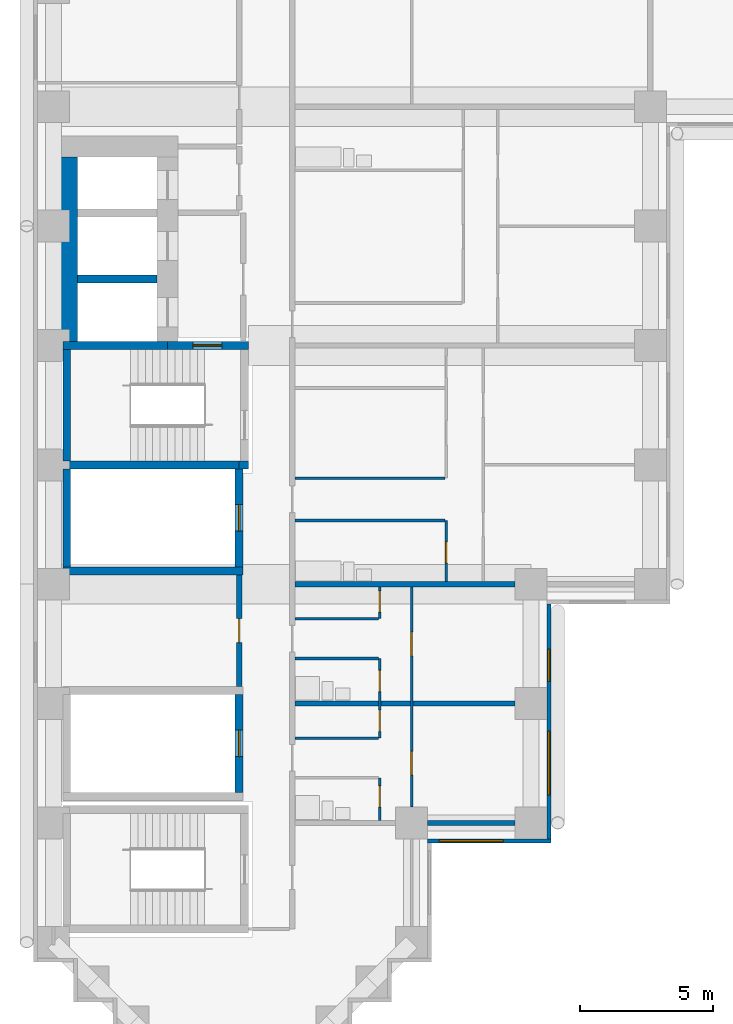
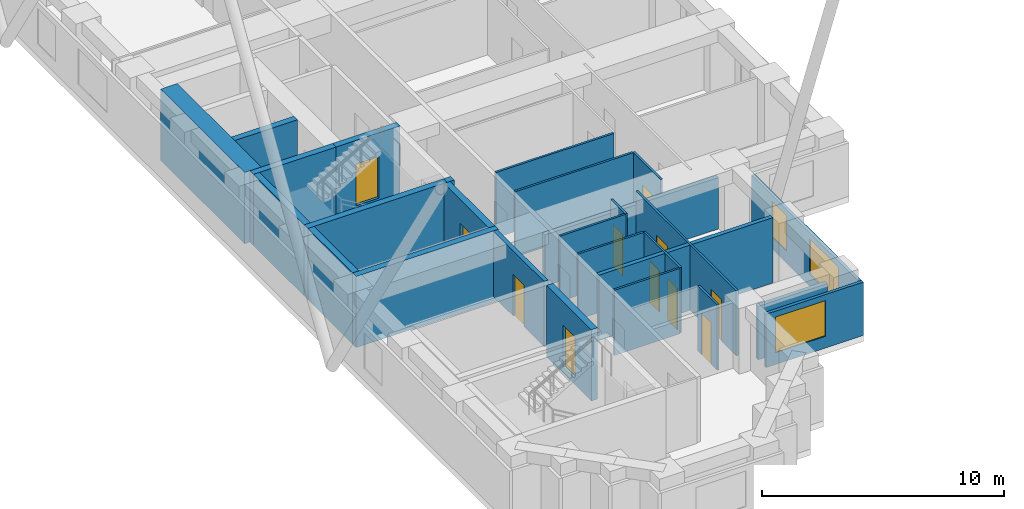
# One storey, part 3 of 13: 27 walls, 11 doors, 3 windows, 14 openings.
"""IFC4 building model written with IfcOpenShell, lengths in metres."""

from ifc_helpers import new_model, si_unit, direction, frame, frame_2d, origin, place, context, subcontext, project, spatial, rectangle, extrude, material, layer, layer_set, type_object, element, fill, save


model = new_model("IFC4")

# Units and contexts
model_context = context("Model", 3, precision=1e-05, world=origin(), true_north=direction((0.0, 1.0)))
body_context = subcontext(model_context, "Body", "Model", "MODEL_VIEW")
ifc_project = project(units=[si_unit("LENGTHUNIT", "METRE"), si_unit("AREAUNIT", "SQUARE_METRE"), si_unit("VOLUMEUNIT", "CUBIC_METRE"), si_unit("PLANEANGLEUNIT", "RADIAN"), si_unit("MASSUNIT", "GRAM", prefix="KILO")], contexts=[model_context])

# Site, building, storey
site_placement = place(None, origin())
site = spatial("IfcSite", under=ifc_project, at=site_placement, CompositionType="ELEMENT")
building_placement = place(site_placement, origin())
building = spatial("IfcBuilding", under=site, at=building_placement, Name="Firuza Court", CompositionType="ELEMENT")
storey_placement = place(building_placement, frame((0.0, 0.0, 72.199951171875)))
storey = spatial("IfcBuildingStorey", under=building, at=storey_placement, Name="L17", CompositionType="ELEMENT", Elevation=72.199951171875)

# Walls
ifc_material_1 = material(Name="Moisture-resistant gypsum board partition")
ifc_layer_1 = layer(ifc_material_1, 0.10009765625)
ifc_layer_set_1 = layer_set([ifc_layer_1], Name="Moisture-resistant gypsum board partition")
wall_type_1 = type_object("IfcWallType", Name="Bathroom partition 100", PredefinedType="PLUMBINGWALL", material=ifc_layer_set_1)
wall_1_placement = place(storey_placement, frame((9.10009765625, 15.199951171875, 0.0), z_axis=(0.0, 0.0, 1.0), x_axis=(1.0, 0.0, 0.0)))
element("IfcWall", 1, at=wall_1_placement, inside=storey, type_object=wall_type_1, Name="Bathroom partition 100 L17", PredefinedType="PLUMBINGWALL", context=body_context, shape_type="SweptSolid", body=[
    extrude(rectangle(XDim=3.14990234375, YDim=0.10009765625, at=frame_2d((1.574951171875, 0.0))), origin(), (0.0, 0.0, 1.0), 3.300048828125),
])
wall_2_placement = place(storey_placement, frame((9.10009765625, 20.39990234375, 0.0), z_axis=(0.0, 0.0, 1.0), x_axis=(1.0, 0.0, 0.0)))
element("IfcWall", 2, at=wall_2_placement, inside=storey, type_object=wall_type_1, Name="Bathroom partition 100 L17", PredefinedType="PLUMBINGWALL", context=body_context, shape_type="SweptSolid", body=[
    extrude(rectangle(XDim=5.64990234375, YDim=0.10009765625, at=frame_2d((2.824951171875, 0.0))), origin(), (0.0, 0.0, 1.0), 3.300048828125),
])
ifc_material_2 = material(Name="Concrete C60/75", Category="concrete")
ifc_layer_2 = layer(ifc_material_2, 0.300048828125)
ifc_layer_set_2 = layer_set([ifc_layer_2], Name="Concrete C60/75")
wall_type_2 = type_object("IfcWallType", Name="Core wall 300 C60/75", PredefinedType="SHEAR", material=ifc_layer_set_2)
wall_3_placement = place(storey_placement, frame((0.35009765625, 18.5, -0.300048828125), z_axis=(0.0, 0.0, 1.0), x_axis=(1.0, 0.0, 0.0)))
element("IfcWall", 3, at=wall_3_placement, inside=storey, type_object=wall_type_2, Name="Core wall riser L17", PredefinedType="SHEAR", context=body_context, shape_type="SweptSolid", body=[
    extrude(rectangle(XDim=6.7998046875, YDim=0.300048828125, at=frame_2d((3.39990234375, 0.0))), origin(), (0.0, 0.0, 1.0), 3.60009765625),
])
wall_4_placement = place(storey_placement, frame((0.35009765625, 22.5, -0.300048828125), z_axis=(0.0, 0.0, 1.0), x_axis=(1.0, 0.0, 0.0)))
element("IfcWall", 4, at=wall_4_placement, inside=storey, type_object=wall_type_2, Name="Core wall riser L17", PredefinedType="SHEAR", context=body_context, shape_type="SweptSolid", body=[
    extrude(rectangle(XDim=6.64990234375, YDim=0.300048828125, at=frame_2d((3.324951171875, 0.0))), origin(), (0.0, 0.0, 1.0), 3.60009765625),
])
wall_5_placement = place(storey_placement, frame((0.35009765625, 27.0, -0.300048828125), z_axis=(0.0, 0.0, 1.0), x_axis=(1.0, 0.0, 0.0)))
element("IfcWall", 5, at=wall_5_placement, inside=storey, type_object=wall_type_2, Name="Core wall lift shaft L17", PredefinedType="SHEAR", context=body_context, shape_type="SweptSolid", body=[
    extrude(rectangle(XDim=3.949951171875, YDim=0.300048828125, at=frame_2d((1.97509765625, 0.0))), origin(), (0.0, 0.0, 1.0), 3.60009765625),
])
wall_6_placement = place(storey_placement, frame((0.5, 18.64990234375, -0.300048828125), z_axis=(0.0, 0.0, 1.0), x_axis=(0.0, 1.0, 0.0)))
element("IfcWall", 6, at=wall_6_placement, inside=storey, type_object=wall_type_2, Name="Core wall riser L17", PredefinedType="SHEAR", context=body_context, shape_type="SweptSolid", body=[
    extrude(rectangle(XDim=3.7001953125, YDim=0.300048828125, at=frame_2d((1.85009765625, 0.0))), origin(), (0.0, 0.0, 1.0), 3.60009765625),
])
wall_7_placement = place(storey_placement, frame((0.5, 22.64990234375, -0.300048828125), z_axis=(0.0, 0.0, 1.0), x_axis=(0.0, 1.0, 0.0)))
element("IfcWall", 7, at=wall_7_placement, inside=storey, type_object=wall_type_2, Name="Core wall stair L17", PredefinedType="SHEAR", context=body_context, shape_type="SweptSolid", body=[
    extrude(rectangle(XDim=4.2001953125, YDim=0.300048828125, at=frame_2d((2.10009765625, 0.0))), origin(), (0.0, 0.0, 1.0), 3.60009765625),
])
wall_8_placement = place(storey_placement, frame((0.89990234375, 29.5, -0.300048828125), z_axis=(0.0, 0.0, 1.0), x_axis=(1.0, 0.0, 0.0)))
element("IfcWall", 8, at=wall_8_placement, inside=storey, type_object=wall_type_2, Name="Core wall lift shaft L17", PredefinedType="SHEAR", context=body_context, shape_type="SweptSolid", body=[
    extrude(rectangle(XDim=3.0, YDim=0.300048828125, at=frame_2d((1.5, 0.0))), origin(), (0.0, 0.0, 1.0), 3.60009765625),
])

# Wall, opening, door
wall_9_placement = place(storey_placement, frame((4.300048828125, 27.0, -0.300048828125), z_axis=(0.0, 0.0, 1.0), x_axis=(1.0, 0.0, 0.0)))
wall_9 = element("IfcWall", 9, at=wall_9_placement, inside=storey, type_object=wall_type_2, Name="Core wall stair L17", PredefinedType="SHEAR", context=body_context, shape_type="SweptSolid", body=[
    extrude(rectangle(XDim=3.050048828125, YDim=0.300048828125, at=frame_2d((1.52490234375, 0.0))), origin(), (0.0, 0.0, 1.0), 3.60009765625),
])
opening_1_placement = place(wall_9_placement, frame((0.949951171875, 0.0, 0.300048828125)))
opening_1 = element("IfcOpeningElement", 10, at=opening_1_placement, cuts=wall_9, Name="Opening D17014", PredefinedType="OPENING", context=body_context, shape_type="SweptSolid", body=[
    extrude(rectangle(XDim=1.10009765625, YDim=2.10009765625, at=frame_2d((0.550048828125, 1.050048828125))), frame((0.0, 0.162109375, 0.0), z_axis=(0.0, -1.0, 0.0), x_axis=(1.0, 0.0, 0.0)), (0.0, 0.0, 1.0), 0.323974609375),
])
ifc_material_3 = material(Name="Timber door leaf in hardwood frame", Category="wood")
door_type_1 = type_object("IfcDoorType", Name="Stair door 1100", OperationType="SINGLE_SWING_LEFT", PredefinedType="DOOR", material=ifc_material_3)
door_1_placement = place(opening_1_placement, frame((1.10009765625, 0.0, 0.0), z_axis=(0.0, 0.0, 1.0), x_axis=(-1.0, 0.0, 0.0)))
door_1 = element("IfcDoor", 11, at=door_1_placement, inside=storey, type_object=door_type_1, Name="Fire-fighting lobby door", OperationType="SINGLE_SWING_LEFT", OverallHeight=2.10009765625, OverallWidth=1.10009765625, PredefinedType="DOOR", context=body_context, shape_type="SweptSolid", body=[
    extrude(rectangle(XDim=1.10009765625, YDim=2.10009765625, at=frame_2d((0.550048828125, 1.050048828125))), frame((0.0, 0.02490234375, 0.0), z_axis=(0.0, -1.0, 0.0), x_axis=(1.0, 0.0, 0.0)), (0.0, 0.0, 1.0), 0.050048828125),
])
fill(opening_1, door_1)

wall_10_placement = place(storey_placement, frame((7.0, 10.14990234375, -0.300048828125), z_axis=(0.0, 0.0, 1.0), x_axis=(0.0, 1.0, 0.0)))
wall_10 = element("IfcWall", 12, at=wall_10_placement, inside=storey, type_object=wall_type_2, Name="Core wall riser L17", PredefinedType="SHEAR", context=body_context, shape_type="SweptSolid", body=[
    extrude(rectangle(XDim=3.7001953125, YDim=0.300048828125, at=frame_2d((1.85009765625, 0.0))), origin(), (0.0, 0.0, 1.0), 3.60009765625),
])
opening_2_placement = place(wall_10_placement, frame((1.35009765625, 0.0, 0.300048828125)))
opening_2 = element("IfcOpeningElement", 13, at=opening_2_placement, cuts=wall_10, Name="Opening D17012", PredefinedType="OPENING", context=body_context, shape_type="SweptSolid", body=[
    extrude(rectangle(XDim=1.0, YDim=2.10009765625, at=frame_2d((0.5, 1.050048828125))), frame((0.0, 0.162109375, 0.0), z_axis=(0.0, -1.0, 0.0), x_axis=(1.0, 0.0, 0.0)), (0.0, 0.0, 1.0), 0.323974609375),
])
ifc_material_4 = material(Name="Timber door leaf in hardwood frame", Category="wood")
door_type_2 = type_object("IfcDoorType", Name="Riser door 1000", OperationType="SINGLE_SWING_LEFT", PredefinedType="DOOR", material=ifc_material_4)
door_2_placement = place(opening_2_placement, origin())
door_2 = element("IfcDoor", 14, at=door_2_placement, inside=storey, type_object=door_type_2, Name="Riser door R4", OperationType="SINGLE_SWING_LEFT", OverallHeight=2.10009765625, OverallWidth=1.0, PredefinedType="DOOR", context=body_context, shape_type="SweptSolid", body=[
    extrude(rectangle(XDim=1.0, YDim=2.10009765625, at=frame_2d((0.5, 1.050048828125))), frame((0.0, 0.02490234375, 0.0), z_axis=(0.0, -1.0, 0.0), x_axis=(1.0, 0.0, 0.0)), (0.0, 0.0, 1.0), 0.050048828125),
])
fill(opening_2, door_2)

wall_11_placement = place(storey_placement, frame((7.0, 18.64990234375, -0.300048828125), z_axis=(0.0, 0.0, 1.0), x_axis=(0.0, 1.0, 0.0)))
wall_11 = element("IfcWall", 15, at=wall_11_placement, inside=storey, type_object=wall_type_2, Name="Core wall riser L17", PredefinedType="SHEAR", context=body_context, shape_type="SweptSolid", body=[
    extrude(rectangle(XDim=3.7001953125, YDim=0.300048828125, at=frame_2d((1.85009765625, 0.0))), origin(), (0.0, 0.0, 1.0), 3.60009765625),
])
opening_3_placement = place(wall_11_placement, frame((1.35009765625, 0.0, 0.300048828125)))
opening_3 = element("IfcOpeningElement", 16, at=opening_3_placement, cuts=wall_11, Name="Opening D17010", PredefinedType="OPENING", context=body_context, shape_type="SweptSolid", body=[
    extrude(rectangle(XDim=1.0, YDim=2.10009765625, at=frame_2d((0.5, 1.050048828125))), frame((0.0, 0.162109375, 0.0), z_axis=(0.0, -1.0, 0.0), x_axis=(1.0, 0.0, 0.0)), (0.0, 0.0, 1.0), 0.323974609375),
])
door_3_placement = place(opening_3_placement, origin())
door_3 = element("IfcDoor", 17, at=door_3_placement, inside=storey, type_object=door_type_2, Name="Riser door R1", OperationType="SINGLE_SWING_LEFT", OverallHeight=2.10009765625, OverallWidth=1.0, PredefinedType="DOOR", context=body_context, shape_type="SweptSolid", body=[
    extrude(rectangle(XDim=1.0, YDim=2.10009765625, at=frame_2d((0.5, 1.050048828125))), frame((0.0, 0.02490234375, 0.0), z_axis=(0.0, -1.0, 0.0), x_axis=(1.0, 0.0, 0.0)), (0.0, 0.0, 1.0), 0.050048828125),
])
fill(opening_3, door_3)

# Walls
wall_12_placement = place(storey_placement, frame((7.0, 22.5, -0.300048828125), z_axis=(0.0, 0.0, 1.0), x_axis=(1.0, 0.0, 0.0)))
element("IfcWall", 18, at=wall_12_placement, inside=storey, type_object=wall_type_2, Name="Core wall stair L17", PredefinedType="SHEAR", context=body_context, shape_type="SweptSolid", body=[
    extrude(rectangle(XDim=0.35009765625, YDim=0.300048828125, at=frame_2d((0.175048828125, 0.0))), origin(), (0.0, 0.0, 1.0), 3.60009765625),
])
ifc_layer_3 = layer(ifc_material_2, 0.800048828125)
ifc_layer_set_3 = layer_set([ifc_layer_3], Name="Concrete C60/75")
wall_type_3 = type_object("IfcWallType", Name="Core wall 800 C60/75", PredefinedType="SHEAR", material=ifc_layer_set_3)
wall_13_placement = place(storey_placement, frame((0.5, 27.14990234375, -0.300048828125), z_axis=(0.0, 0.0, 1.0), x_axis=(0.0, 1.0, 0.0)))
element("IfcWall", 19, at=wall_13_placement, inside=storey, type_object=wall_type_3, Name="Core wall lift shaft L17", PredefinedType="SHEAR", context=body_context, shape_type="SweptSolid", body=[
    extrude(rectangle(XDim=6.9501953125, YDim=0.800048828125, at=frame_2d((3.47509765625, 0.0))), origin(), (0.0, 0.0, 1.0), 3.60009765625),
])

# Wall, opening, door
ifc_material_5 = material(Name="Blockwork, plastered both sides", Category="masonry")
ifc_layer_4 = layer(ifc_material_5, 0.199951171875)
ifc_layer_set_4 = layer_set([ifc_layer_4], Name="Blockwork, plastered both sides")
wall_type_4 = type_object("IfcWallType", Name="Corridor wall 200", PredefinedType="PARTITIONING", material=ifc_layer_set_4)
wall_14_placement = place(storey_placement, frame((7.0, 14.14990234375, 0.0), z_axis=(0.0, 0.0, 1.0), x_axis=(0.0, 1.0, 0.0)))
wall_14 = element("IfcWall", 20, at=wall_14_placement, inside=storey, type_object=wall_type_4, Name="Corridor wall 200 L17", PredefinedType="PARTITIONING", context=body_context, shape_type="SweptSolid", body=[
    extrude(rectangle(XDim=4.2001953125, YDim=0.199951171875, at=frame_2d((2.10009765625, 0.0))), origin(), (0.0, 0.0, 1.0), 3.300048828125),
])
opening_4_placement = place(wall_14_placement, frame((1.64990234375, 0.0, 0.0)))
opening_4 = element("IfcOpeningElement", 21, at=opening_4_placement, cuts=wall_14, Name="Opening D17030", PredefinedType="OPENING", context=body_context, shape_type="SweptSolid", body=[
    extrude(rectangle(XDim=0.89990234375, YDim=2.10009765625, at=frame_2d((0.449951171875, 1.050048828125))), frame((0.0, 0.11181640625, 0.0), z_axis=(0.0, -1.0, 0.0), x_axis=(1.0, 0.0, 0.0)), (0.0, 0.0, 1.0), 0.223876953125),
])
ifc_material_6 = material(Name="Timber door leaf in hardwood frame", Category="wood")
door_type_3 = type_object("IfcDoorType", Name="Room door 900 EI 30", OperationType="SINGLE_SWING_LEFT", PredefinedType="DOOR", material=ifc_material_6)
door_4_placement = place(opening_4_placement, origin())
door_4 = element("IfcDoor", 22, at=door_4_placement, inside=storey, type_object=door_type_3, Name="Concierge room door", OperationType="SINGLE_SWING_LEFT", OverallHeight=2.10009765625, OverallWidth=0.89990234375, PredefinedType="DOOR", context=body_context, shape_type="SweptSolid", body=[
    extrude(rectangle(XDim=0.89990234375, YDim=2.10009765625, at=frame_2d((0.449951171875, 1.050048828125))), frame((0.0, 0.02490234375, 0.0), z_axis=(0.0, -1.0, 0.0), x_axis=(1.0, 0.0, 0.0)), (0.0, 0.0, 1.0), 0.050048828125),
])
fill(opening_4, door_4)

ifc_material_7 = material(Name="Timber stud partition, plasterboard both sides", Category="wood")
ifc_layer_5 = layer(ifc_material_7, 0.10009765625)
ifc_layer_set_5 = layer_set([ifc_layer_5], Name="Timber stud partition, plasterboard both sides")
wall_type_5 = type_object("IfcWallType", Name="Partition wall 100", PredefinedType="PARTITIONING", material=ifc_layer_set_5)
wall_15_placement = place(storey_placement, frame((12.300048828125, 9.10009765625, 0.0), z_axis=(0.0, 0.0, 1.0), x_axis=(0.0, 1.0, 0.0)))
wall_15 = element("IfcWall", 23, at=wall_15_placement, inside=storey, type_object=wall_type_5, Name="Partition wall 100 L17", PredefinedType="PARTITIONING", context=body_context, shape_type="SweptSolid", body=[
    extrude(rectangle(XDim=1.599853515625, YDim=0.10009765625, at=frame_2d((0.7998046875, 0.0))), origin(), (0.0, 0.0, 1.0), 3.300048828125),
])
opening_5_placement = place(wall_15_placement, frame((0.5, 0.0, 0.0)))
opening_5 = element("IfcOpeningElement", 24, at=opening_5_placement, cuts=wall_15, Name="Opening D17025", PredefinedType="OPENING", context=body_context, shape_type="SweptSolid", body=[
    extrude(rectangle(XDim=0.800048828125, YDim=2.10009765625, at=frame_2d((0.39990234375, 1.050048828125))), frame((0.0, 0.06201171875, 0.0), z_axis=(0.0, -1.0, 0.0), x_axis=(1.0, 0.0, 0.0)), (0.0, 0.0, 1.0), 0.1240234375),
])
ifc_material_8 = material(Name="Timber door leaf in hardwood frame", Category="wood")
door_type_4 = type_object("IfcDoorType", Name="Bathroom door 800", OperationType="SINGLE_SWING_LEFT", PredefinedType="DOOR", material=ifc_material_8)
door_5_placement = place(opening_5_placement, origin())
door_5 = element("IfcDoor", 25, at=door_5_placement, inside=storey, type_object=door_type_4, Name="Bathroom door", OperationType="SINGLE_SWING_RIGHT", OverallHeight=2.10009765625, OverallWidth=0.800048828125, PredefinedType="DOOR", context=body_context, shape_type="SweptSolid", body=[
    extrude(rectangle(XDim=0.800048828125, YDim=2.10009765625, at=frame_2d((0.39990234375, 1.050048828125))), frame((0.0, 0.02490234375, 0.0), z_axis=(0.0, -1.0, 0.0), x_axis=(1.0, 0.0, 0.0)), (0.0, 0.0, 1.0), 0.050048828125),
])
fill(opening_5, door_5)

# Wall, openings, doors
wall_16_placement = place(storey_placement, frame((13.5, 9.60009765625, 0.0), z_axis=(0.0, 0.0, 1.0), x_axis=(0.0, 1.0, 0.0)))
wall_16 = element("IfcWall", 26, at=wall_16_placement, inside=storey, type_object=wall_type_5, Name="Partition wall 100 L17", PredefinedType="PARTITIONING", context=body_context, shape_type="SweptSolid", body=[
    extrude(rectangle(XDim=8.2998046875, YDim=0.10009765625, at=frame_2d((4.14990234375, 0.0))), origin(), (0.0, 0.0, 1.0), 3.300048828125),
])
opening_6_placement = place(wall_16_placement, frame((5.699951171875, 0.0, 0.0)))
opening_6 = element("IfcOpeningElement", 27, at=opening_6_placement, cuts=wall_16, Name="Opening D17026", PredefinedType="OPENING", context=body_context, shape_type="SweptSolid", body=[
    extrude(rectangle(XDim=0.89990234375, YDim=2.10009765625, at=frame_2d((0.449951171875, 1.050048828125))), frame((0.0, 0.06201171875, 0.0), z_axis=(0.0, -1.0, 0.0), x_axis=(1.0, 0.0, 0.0)), (0.0, 0.0, 1.0), 0.1240234375),
])
opening_7_placement = place(wall_16_placement, frame((1.199951171875, 0.0, 0.0)))
opening_7 = element("IfcOpeningElement", 28, at=opening_7_placement, cuts=wall_16, Name="Opening D17027", PredefinedType="OPENING", context=body_context, shape_type="SweptSolid", body=[
    extrude(rectangle(XDim=0.89990234375, YDim=2.10009765625, at=frame_2d((0.449951171875, 1.050048828125))), frame((0.0, 0.06201171875, 0.0), z_axis=(0.0, -1.0, 0.0), x_axis=(1.0, 0.0, 0.0)), (0.0, 0.0, 1.0), 0.1240234375),
])
ifc_material_9 = material(Name="Timber door leaf in hardwood frame", Category="wood")
door_type_5 = type_object("IfcDoorType", Name="Room door 900", OperationType="SINGLE_SWING_LEFT", PredefinedType="DOOR", material=ifc_material_9)
door_6_placement = place(opening_6_placement, frame((0.89990234375, 0.0, 0.0), z_axis=(0.0, 0.0, 1.0), x_axis=(-1.0, 0.0, 0.0)))
door_6 = element("IfcDoor", 29, at=door_6_placement, inside=storey, type_object=door_type_5, Name="Studio room door", OperationType="SINGLE_SWING_RIGHT", OverallHeight=2.10009765625, OverallWidth=0.89990234375, PredefinedType="DOOR", context=body_context, shape_type="SweptSolid", body=[
    extrude(rectangle(XDim=0.89990234375, YDim=2.10009765625, at=frame_2d((0.449951171875, 1.050048828125))), frame((0.0, 0.02490234375, 0.0), z_axis=(0.0, -1.0, 0.0), x_axis=(1.0, 0.0, 0.0)), (0.0, 0.0, 1.0), 0.050048828125),
])
fill(opening_6, door_6)
door_7_placement = place(opening_7_placement, frame((0.89990234375, 0.0, 0.0), z_axis=(0.0, 0.0, 1.0), x_axis=(-1.0, 0.0, 0.0)))
door_7 = element("IfcDoor", 30, at=door_7_placement, inside=storey, type_object=door_type_5, Name="Studio room door", OperationType="SINGLE_SWING_RIGHT", OverallHeight=2.10009765625, OverallWidth=0.89990234375, PredefinedType="DOOR", context=body_context, shape_type="SweptSolid", body=[
    extrude(rectangle(XDim=0.89990234375, YDim=2.10009765625, at=frame_2d((0.449951171875, 1.050048828125))), frame((0.0, 0.02490234375, 0.0), z_axis=(0.0, -1.0, 0.0), x_axis=(1.0, 0.0, 0.0)), (0.0, 0.0, 1.0), 0.050048828125),
])
fill(opening_7, door_7)

# Wall
wall_17_placement = place(storey_placement, frame((9.10009765625, 12.199951171875, 0.0), z_axis=(0.0, 0.0, 1.0), x_axis=(1.0, 0.0, 0.0)))
element("IfcWall", 31, at=wall_17_placement, inside=storey, type_object=wall_type_5, Name="Partition wall 100 L17", PredefinedType="PARTITIONING", context=body_context, shape_type="SweptSolid", body=[
    extrude(rectangle(XDim=3.14990234375, YDim=0.10009765625, at=frame_2d((1.574951171875, 0.0))), origin(), (0.0, 0.0, 1.0), 3.300048828125),
])

# Wall, openings, doors
wall_18_placement = place(storey_placement, frame((12.300048828125, 12.199951171875, 0.0), z_axis=(0.0, 0.0, 1.0), x_axis=(0.0, 1.0, 0.0)))
wall_18 = element("IfcWall", 32, at=wall_18_placement, inside=storey, type_object=wall_type_5, Name="Partition wall 100 L17", PredefinedType="PARTITIONING", context=body_context, shape_type="SweptSolid", body=[
    extrude(rectangle(XDim=3.0, YDim=0.10009765625, at=frame_2d((1.5, 0.0))), origin(), (0.0, 0.0, 1.0), 3.300048828125),
])
opening_8_placement = place(wall_18_placement, frame((1.75, 0.0, 0.0)))
opening_8 = element("IfcOpeningElement", 33, at=opening_8_placement, cuts=wall_18, Name="Opening D17028", PredefinedType="OPENING", context=body_context, shape_type="SweptSolid", body=[
    extrude(rectangle(XDim=0.800048828125, YDim=2.10009765625, at=frame_2d((0.39990234375, 1.050048828125))), frame((0.0, 0.06201171875, 0.0), z_axis=(0.0, -1.0, 0.0), x_axis=(1.0, 0.0, 0.0)), (0.0, 0.0, 1.0), 0.1240234375),
])
opening_9_placement = place(wall_18_placement, frame((0.25, 0.0, 0.0)))
opening_9 = element("IfcOpeningElement", 34, at=opening_9_placement, cuts=wall_18, Name="Opening D17029", PredefinedType="OPENING", context=body_context, shape_type="SweptSolid", body=[
    extrude(rectangle(XDim=0.800048828125, YDim=2.10009765625, at=frame_2d((0.39990234375, 1.050048828125))), frame((0.0, 0.06201171875, 0.0), z_axis=(0.0, -1.0, 0.0), x_axis=(1.0, 0.0, 0.0)), (0.0, 0.0, 1.0), 0.1240234375),
])
door_8_placement = place(opening_8_placement, origin())
door_8 = element("IfcDoor", 35, at=door_8_placement, inside=storey, type_object=door_type_4, Name="Bathroom door", OperationType="SINGLE_SWING_LEFT", OverallHeight=2.10009765625, OverallWidth=0.800048828125, PredefinedType="DOOR", context=body_context, shape_type="SweptSolid", body=[
    extrude(rectangle(XDim=0.800048828125, YDim=2.10009765625, at=frame_2d((0.39990234375, 1.050048828125))), frame((0.0, 0.02490234375, 0.0), z_axis=(0.0, -1.0, 0.0), x_axis=(1.0, 0.0, 0.0)), (0.0, 0.0, 1.0), 0.050048828125),
])
fill(opening_8, door_8)
ifc_material_10 = material(Name="Timber door leaf in hardwood frame", Category="wood")
door_type_6 = type_object("IfcDoorType", Name="Room door 800", OperationType="SINGLE_SWING_LEFT", PredefinedType="DOOR", material=ifc_material_10)
door_9_placement = place(opening_9_placement, origin())
door_9 = element("IfcDoor", 36, at=door_9_placement, inside=storey, type_object=door_type_6, Name="Kitchen door", OperationType="SINGLE_SWING_LEFT", OverallHeight=2.10009765625, OverallWidth=0.800048828125, PredefinedType="DOOR", context=body_context, shape_type="SweptSolid", body=[
    extrude(rectangle(XDim=0.800048828125, YDim=2.10009765625, at=frame_2d((0.39990234375, 1.050048828125))), frame((0.0, 0.02490234375, 0.0), z_axis=(0.0, -1.0, 0.0), x_axis=(1.0, 0.0, 0.0)), (0.0, 0.0, 1.0), 0.050048828125),
])
fill(opening_9, door_9)

# Wall
wall_19_placement = place(storey_placement, frame((9.10009765625, 16.699951171875, 0.0), z_axis=(0.0, 0.0, 1.0), x_axis=(1.0, 0.0, 0.0)))
element("IfcWall", 37, at=wall_19_placement, inside=storey, type_object=wall_type_5, Name="Partition wall 100 L17", PredefinedType="PARTITIONING", context=body_context, shape_type="SweptSolid", body=[
    extrude(rectangle(XDim=3.14990234375, YDim=0.10009765625, at=frame_2d((1.574951171875, 0.0))), origin(), (0.0, 0.0, 1.0), 3.300048828125),
])

# Wall, opening, door
wall_20_placement = place(storey_placement, frame((12.300048828125, 16.699951171875, 0.0), z_axis=(0.0, 0.0, 1.0), x_axis=(0.0, 1.0, 0.0)))
wall_20 = element("IfcWall", 38, at=wall_20_placement, inside=storey, type_object=wall_type_5, Name="Partition wall 100 L17", PredefinedType="PARTITIONING", context=body_context, shape_type="SweptSolid", body=[
    extrude(rectangle(XDim=1.199951171875, YDim=0.10009765625, at=frame_2d((0.60009765625, 0.0))), origin(), (0.0, 0.0, 1.0), 3.300048828125),
])
opening_10_placement = place(wall_20_placement, frame((0.25, 0.0, 0.0)))
opening_10 = element("IfcOpeningElement", 39, at=opening_10_placement, cuts=wall_20, Name="Opening D17031", PredefinedType="OPENING", context=body_context, shape_type="SweptSolid", body=[
    extrude(rectangle(XDim=0.800048828125, YDim=2.10009765625, at=frame_2d((0.39990234375, 1.050048828125))), frame((0.0, 0.06201171875, 0.0), z_axis=(0.0, -1.0, 0.0), x_axis=(1.0, 0.0, 0.0)), (0.0, 0.0, 1.0), 0.1240234375),
])
door_10_placement = place(opening_10_placement, origin())
door_10 = element("IfcDoor", 40, at=door_10_placement, inside=storey, type_object=door_type_6, Name="Kitchen door", OperationType="SINGLE_SWING_LEFT", OverallHeight=2.10009765625, OverallWidth=0.800048828125, PredefinedType="DOOR", context=body_context, shape_type="SweptSolid", body=[
    extrude(rectangle(XDim=0.800048828125, YDim=2.10009765625, at=frame_2d((0.39990234375, 1.050048828125))), frame((0.0, 0.02490234375, 0.0), z_axis=(0.0, -1.0, 0.0), x_axis=(1.0, 0.0, 0.0)), (0.0, 0.0, 1.0), 0.050048828125),
])
fill(opening_10, door_10)

wall_21_placement = place(storey_placement, frame((14.800048828125, 18.10009765625, 0.0), z_axis=(0.0, 0.0, 1.0), x_axis=(0.0, 1.0, 0.0)))
wall_21 = element("IfcWall", 41, at=wall_21_placement, inside=storey, type_object=wall_type_5, Name="Partition wall 100 L17", PredefinedType="PARTITIONING", context=body_context, shape_type="SweptSolid", body=[
    extrude(rectangle(XDim=2.2998046875, YDim=0.10009765625, at=frame_2d((1.14990234375, 0.0))), origin(), (0.0, 0.0, 1.0), 3.300048828125),
])
opening_11_placement = place(wall_21_placement, frame((0.699951171875, 0.0, 0.0)))
opening_11 = element("IfcOpeningElement", 42, at=opening_11_placement, cuts=wall_21, Name="Opening D17032", PredefinedType="OPENING", context=body_context, shape_type="SweptSolid", body=[
    extrude(rectangle(XDim=0.800048828125, YDim=2.10009765625, at=frame_2d((0.39990234375, 1.050048828125))), frame((0.0, 0.06201171875, 0.0), z_axis=(0.0, -1.0, 0.0), x_axis=(1.0, 0.0, 0.0)), (0.0, 0.0, 1.0), 0.1240234375),
])
door_11_placement = place(opening_11_placement, origin())
door_11 = element("IfcDoor", 43, at=door_11_placement, inside=storey, type_object=door_type_4, Name="Bathroom door", OperationType="SINGLE_SWING_LEFT", OverallHeight=2.10009765625, OverallWidth=0.800048828125, PredefinedType="DOOR", context=body_context, shape_type="SweptSolid", body=[
    extrude(rectangle(XDim=0.800048828125, YDim=2.10009765625, at=frame_2d((0.39990234375, 1.050048828125))), frame((0.0, 0.02490234375, 0.0), z_axis=(0.0, -1.0, 0.0), x_axis=(1.0, 0.0, 0.0)), (0.0, 0.0, 1.0), 0.050048828125),
])
fill(opening_11, door_11)

# Walls
wall_22_placement = place(storey_placement, frame((9.10009765625, 22.0, 0.0), z_axis=(0.0, 0.0, 1.0), x_axis=(1.0, 0.0, 0.0)))
element("IfcWall", 44, at=wall_22_placement, inside=storey, type_object=wall_type_5, Name="Partition wall 100 L17", PredefinedType="PARTITIONING", context=body_context, shape_type="SweptSolid", body=[
    extrude(rectangle(XDim=5.64990234375, YDim=0.10009765625, at=frame_2d((2.824951171875, 0.0))), origin(), (0.0, 0.0, 1.0), 3.300048828125),
])
ifc_layer_6 = layer(ifc_material_5, 0.199951171875)
ifc_layer_set_6 = layer_set([ifc_layer_6], Name="Blockwork, plastered both sides")
wall_type_6 = type_object("IfcWallType", Name="Party wall 200", PredefinedType="PARTITIONING", material=ifc_layer_set_6)
wall_23_placement = place(storey_placement, frame((14.10009765625, 9.0, 0.0), z_axis=(0.0, 0.0, 1.0), x_axis=(1.0, 0.0, 0.0)))
element("IfcWall", 45, at=wall_23_placement, inside=storey, type_object=wall_type_6, Name="Party wall 200 L17", PredefinedType="PARTITIONING", context=body_context, shape_type="SweptSolid", body=[
    extrude(rectangle(XDim=3.2998046875, YDim=0.199951171875, at=frame_2d((1.64990234375, 0.0))), origin(), (0.0, 0.0, 1.0), 2.699951171875),
])
wall_24_placement = place(storey_placement, frame((9.10009765625, 13.5, 0.0), z_axis=(0.0, 0.0, 1.0), x_axis=(1.0, 0.0, 0.0)))
element("IfcWall", 46, at=wall_24_placement, inside=storey, type_object=wall_type_6, Name="Party wall 200 L17", PredefinedType="PARTITIONING", context=body_context, shape_type="SweptSolid", body=[
    extrude(rectangle(XDim=8.2998046875, YDim=0.199951171875, at=frame_2d((4.14990234375, 0.0))), origin(), (0.0, 0.0, 1.0), 3.300048828125),
])
wall_25_placement = place(storey_placement, frame((9.10009765625, 18.0, 0.0), z_axis=(0.0, 0.0, 1.0), x_axis=(1.0, 0.0, 0.0)))
element("IfcWall", 47, at=wall_25_placement, inside=storey, type_object=wall_type_6, Name="Party wall 200 L17", PredefinedType="PARTITIONING", context=body_context, shape_type="SweptSolid", body=[
    extrude(rectangle(XDim=8.2998046875, YDim=0.199951171875, at=frame_2d((4.14990234375, 0.0))), origin(), (0.0, 0.0, 1.0), 2.60009765625),
])

# Wall, opening, window
ifc_material_11 = material(Name="Ceramic tile", Category="ceramic")
ifc_layer_7 = layer(ifc_material_11, 0.02001953125)
ifc_material_12 = material(Name="Mineral wool insulation", Category="insulation")
ifc_layer_8 = layer(ifc_material_12, 0.050048828125)
ifc_material_13 = material(Name="Concrete C40/50 precast", Category="concrete")
ifc_layer_9 = layer(ifc_material_13, 0.080078125)
ifc_layer_set_7 = layer_set([ifc_layer_7, ifc_layer_8, ifc_layer_9], Name="Concrete C40/50 precast")
wall_type_7 = type_object("IfcWallType", Name="Precast cladding wall with turquoise TILE PANEL face 150", PredefinedType="STANDARD", material=ifc_layer_set_7)
wall_26_placement = place(storey_placement, frame((14.10009765625, 8.324951171875, 0.0), z_axis=(0.0, 0.0, 1.0), x_axis=(1.0, 0.0, 0.0)))
wall_26 = element("IfcWall", 48, at=wall_26_placement, inside=storey, type_object=wall_type_7, Name="Facade wall L17 S", PredefinedType="STANDARD", context=body_context, shape_type="SweptSolid", body=[
    extrude(rectangle(XDim=4.64990234375, YDim=0.14990234375, at=frame_2d((2.324951171875, 0.0))), origin(), (0.0, 0.0, 1.0), 2.699951171875),
])
opening_12_placement = place(wall_26_placement, frame((0.449951171875, 0.0, 0.60009765625)))
opening_12 = element("IfcOpeningElement", 49, at=opening_12_placement, cuts=wall_26, Name="Opening W1", PredefinedType="OPENING", context=body_context, shape_type="SweptSolid", body=[
    extrude(rectangle(XDim=2.39990234375, YDim=1.800048828125, at=frame_2d((1.199951171875, 0.89990234375))), frame((0.0, 0.0869140625, 0.0), z_axis=(0.0, -1.0, 0.0), x_axis=(1.0, 0.0, 0.0)), (0.0, 0.0, 1.0), 0.173828125),
])
ifc_material_14 = material(Name="Aluminium frame, triple clear glazing", Category="aluminium")
window_type_1 = type_object("IfcWindowType", Name="Window W1 2400 x 1800", PartitioningType="SINGLE_PANEL", PredefinedType="WINDOW", material=ifc_material_14)
window_1_placement = place(opening_12_placement, origin())
window_1 = element("IfcWindow", 50, at=window_1_placement, inside=storey, type_object=window_type_1, Name="Window L17", OverallHeight=1.800048828125, OverallWidth=2.39990234375, PartitioningType="SINGLE_PANEL", PredefinedType="WINDOW", context=body_context, shape_type="SweptSolid", body=[
    extrude(rectangle(XDim=2.39990234375, YDim=1.800048828125, at=frame_2d((1.199951171875, 0.89990234375))), frame((0.0, 0.030029296875, 0.0), z_axis=(0.0, -1.0, 0.0), x_axis=(1.0, 0.0, 0.0)), (0.0, 0.0, 1.0), 0.06005859375),
])
fill(opening_12, window_1)

# Wall, openings, windows
wall_27_placement = place(storey_placement, frame((18.675048828125, 8.39990234375, 0.0), z_axis=(0.0, 0.0, 1.0), x_axis=(0.0, 1.0, 0.0)))
wall_27 = element("IfcWall", 51, at=wall_27_placement, inside=storey, type_object=wall_type_7, Name="Facade wall L17 E", PredefinedType="STANDARD", context=body_context, shape_type="SweptSolid", body=[
    extrude(rectangle(XDim=8.85009765625, YDim=0.14990234375, at=frame_2d((4.425048828125, 0.0))), origin(), (0.0, 0.0, 1.0), 2.699951171875),
])
opening_13_placement = place(wall_27_placement, frame((1.64990234375, 0.0, 0.60009765625)))
opening_13 = element("IfcOpeningElement", 52, at=opening_13_placement, cuts=wall_27, Name="Opening W1", PredefinedType="OPENING", context=body_context, shape_type="SweptSolid", body=[
    extrude(rectangle(XDim=2.39990234375, YDim=1.800048828125, at=frame_2d((1.199951171875, 0.89990234375))), frame((0.0, 0.0869140625, 0.0), z_axis=(0.0, -1.0, 0.0), x_axis=(1.0, 0.0, 0.0)), (0.0, 0.0, 1.0), 0.173828125),
])
opening_14_placement = place(wall_27_placement, frame((5.939453125, 0.0, 0.60009765625)))
opening_14 = element("IfcOpeningElement", 53, at=opening_14_placement, cuts=wall_27, Name="Opening W8", PredefinedType="OPENING", context=body_context, shape_type="SweptSolid", body=[
    extrude(rectangle(XDim=1.199951171875, YDim=1.800048828125, at=frame_2d((0.60009765625, 0.89990234375))), frame((0.0, 0.0869140625, 0.0), z_axis=(0.0, -1.0, 0.0), x_axis=(1.0, 0.0, 0.0)), (0.0, 0.0, 1.0), 0.173828125),
])
window_2_placement = place(opening_13_placement, origin())
window_2 = element("IfcWindow", 54, at=window_2_placement, inside=storey, type_object=window_type_1, Name="Window L17", OverallHeight=1.800048828125, OverallWidth=2.39990234375, PartitioningType="SINGLE_PANEL", PredefinedType="WINDOW", context=body_context, shape_type="SweptSolid", body=[
    extrude(rectangle(XDim=2.39990234375, YDim=1.800048828125, at=frame_2d((1.199951171875, 0.89990234375))), frame((0.0, 0.030029296875, 0.0), z_axis=(0.0, -1.0, 0.0), x_axis=(1.0, 0.0, 0.0)), (0.0, 0.0, 1.0), 0.06005859375),
])
fill(opening_13, window_2)
ifc_material_15 = material(Name="Aluminium frame, triple clear glazing", Category="aluminium")
window_type_2 = type_object("IfcWindowType", Name="Window W8 1200 x 1800", PartitioningType="SINGLE_PANEL", PredefinedType="WINDOW", material=ifc_material_15)
window_3_placement = place(opening_14_placement, origin())
window_3 = element("IfcWindow", 55, at=window_3_placement, inside=storey, type_object=window_type_2, Name="Window L17", OverallHeight=1.800048828125, OverallWidth=1.199951171875, PartitioningType="SINGLE_PANEL", PredefinedType="WINDOW", context=body_context, shape_type="SweptSolid", body=[
    extrude(rectangle(XDim=1.199951171875, YDim=1.800048828125, at=frame_2d((0.60009765625, 0.89990234375))), frame((0.0, 0.030029296875, 0.0), z_axis=(0.0, -1.0, 0.0), x_axis=(1.0, 0.0, 0.0)), (0.0, 0.0, 1.0), 0.06005859375),
])
fill(opening_14, window_3)

save(model, "model.ifc")
